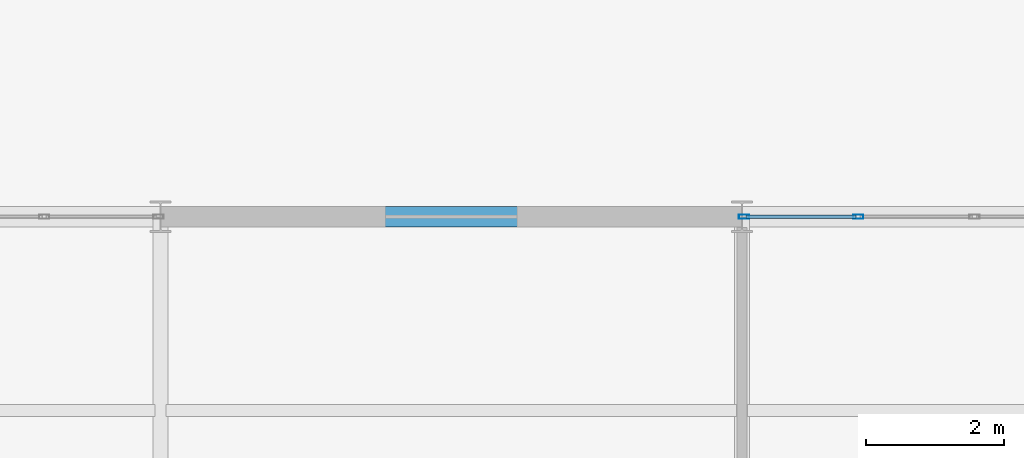
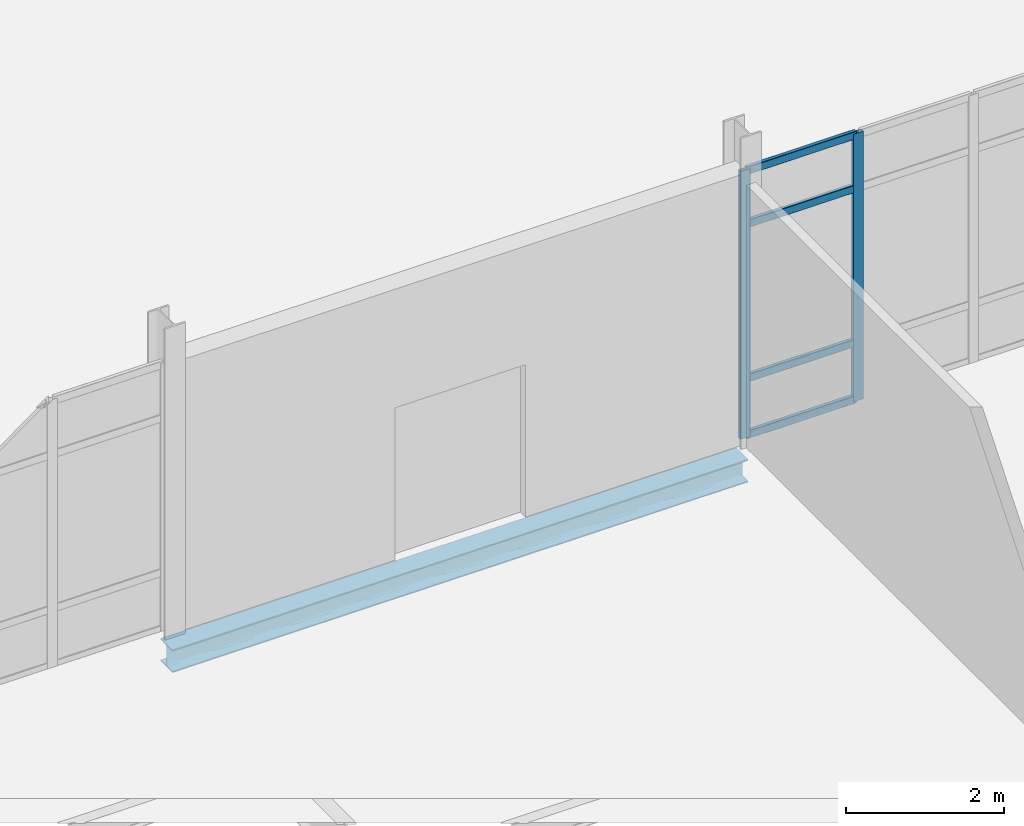
# One storey, part 60 of 145: 6 members, 1 beam, 1 element without a shape of its own.
"""IFC4 building model written with IfcOpenShell, lengths in metres."""

from ifc_helpers import new_model, si_unit, direction, frame, origin, origin_2d, place, context, subcontext, project, spatial, hollow_rectangle, i_section, extrude, material, layer, layer_set, material_profile, profile_set, type_object, element, aggregate, save


model = new_model("IFC4")

# Units and contexts
model_context = context("Model", 3, precision=1e-05, world=origin(), true_north=direction((0.0, 1.0)))
body_context = subcontext(model_context, "Body", "Model", "MODEL_VIEW")
ifc_project = project(units=[si_unit("LENGTHUNIT", "METRE"), si_unit("AREAUNIT", "SQUARE_METRE"), si_unit("VOLUMEUNIT", "CUBIC_METRE"), si_unit("PLANEANGLEUNIT", "RADIAN"), si_unit("MASSUNIT", "GRAM", prefix="KILO")], contexts=[model_context])

# Site, building, storey
site_placement = place(None, origin())
site = spatial("IfcSite", under=ifc_project, at=site_placement, CompositionType="ELEMENT")
building_placement = place(site_placement, origin())
building = spatial("IfcBuilding", under=site, at=building_placement, Name="Qalvenar Corner Mobility Hub", CompositionType="ELEMENT")
storey_placement = place(building_placement, origin())
storey = spatial("IfcBuildingStorey", under=building, at=storey_placement, Name="L00", CompositionType="ELEMENT", Elevation=0.0)

# Beam
ifc_material_1 = material(Name="Steel S355", Category="steel")
ifc_material_profile_1 = material_profile(ifc_material_1, i_section(OverallWidth=0.300048828125, OverallDepth=0.35009765625, WebThickness=0.010009765625, FlangeThickness=0.017578125, FilletRadius=0.027099609375, at=origin_2d()), Name="HEA360")
ifc_profile_set_1 = profile_set([ifc_material_profile_1], Name="Steel S355")
beam_type = type_object("IfcBeamType", Name="BM-SPN360", PredefinedType="SPANDREL", material=ifc_profile_set_1)
beam_placement = place(storey_placement, frame((117.60009765625, 50.39990234375, -0.425048828125), z_axis=(1.0, 0.0, 0.0), x_axis=(0.0, 1.0, 0.0)))
element("IfcBeam", 1, at=beam_placement, inside=storey, type_object=beam_type, Name="Primary Steel Girder GX-0291", PredefinedType="SPANDREL", context=body_context, shape_type="SweptSolid", body=[
    extrude(i_section(OverallWidth=0.300048828125, OverallDepth=0.35009765625, WebThickness=0.010009765625, FlangeThickness=0.017578125, FilletRadius=0.027099609375, at=origin_2d()), origin(), (0.0, 0.0, 1.0), 8.39990234375),
])

# Curtain wall, members
ifc_material_2 = material(Name="Anodised Aluminium and Low-E Glazing", Category="aluminium")
ifc_layer = layer(ifc_material_2, 0.14990234375)
ifc_layer_set = layer_set([ifc_layer], Name="Anodised Aluminium and Low-E Glazing")
curtain_wall_type = type_object("IfcCurtainWallType", Name="CW-WKS-84X44", PredefinedType="NOTDEFINED", material=ifc_layer_set)
curtain_wall_placement = place(storey_placement, origin())
curtain_wall = element("IfcCurtainWall", 2, at=curtain_wall_placement, inside=storey, type_object=curtain_wall_type, Name="Glazed Curtain Wall CW-V6-L00-N2", PredefinedType="NOTDEFINED")
ifc_material_3 = material(Name="Anodised Aluminium 6063-T6", Category="aluminium")
ifc_material_profile_2 = material_profile(ifc_material_3, hollow_rectangle(XDim=0.06005859375, YDim=0.14990234375, WallThickness=0.00390625, InnerFilletRadius=0.00390625, OuterFilletRadius=0.008056640625, at=origin_2d()), Name="RHS150x60x4")
ifc_profile_set_2 = profile_set([ifc_material_profile_2], Name="Anodised Aluminium 6063-T6")
member_type_1 = type_object("IfcMemberType", Name="CW-MUL150", PredefinedType="MULLION", material=ifc_profile_set_2)
member_1_placement = place(storey_placement, frame((127.679931640625, 50.39990234375, 0.0), z_axis=(0.0, 0.0, 1.0), x_axis=(0.0, -1.0, 0.0)))
member_1 = element("IfcMember", 3, at=member_1_placement, type_object=member_type_1, Name="CW-09 mullion 5", PredefinedType="MULLION", context=body_context, shape_type="SweptSolid", body=[
    extrude(hollow_rectangle(XDim=0.06005859375, YDim=0.14990234375, WallThickness=0.00390625, InnerFilletRadius=0.00390625, OuterFilletRadius=0.008056640625, at=origin_2d()), origin(), (0.0, 0.0, 1.0), 4.1298828125),
])
member_2_placement = place(storey_placement, frame((126.030029296875, 50.39990234375, 0.0), z_axis=(0.0, 0.0, 1.0), x_axis=(0.0, -1.0, 0.0)))
member_2 = element("IfcMember", 4, at=member_2_placement, type_object=member_type_1, Name="CW-09 mullion 6", PredefinedType="MULLION", context=body_context, shape_type="SweptSolid", body=[
    extrude(hollow_rectangle(XDim=0.06005859375, YDim=0.14990234375, WallThickness=0.00390625, InnerFilletRadius=0.00390625, OuterFilletRadius=0.008056640625, at=origin_2d()), origin(), (0.0, 0.0, 1.0), 4.1298828125),
])
ifc_material_profile_3 = material_profile(ifc_material_3, hollow_rectangle(XDim=0.054931640625, YDim=0.1201171875, WallThickness=0.00341796875, InnerFilletRadius=0.00341796875, OuterFilletRadius=0.007080078125, at=origin_2d()), Name="RHS120x55x3.5")
ifc_profile_set_3 = profile_set([ifc_material_profile_3], Name="Anodised Aluminium 6063-T6")
member_type_2 = type_object("IfcMemberType", Name="CW-TRN120", PredefinedType="USERDEFINED", material=ifc_profile_set_3)
member_3_placement = place(storey_placement, frame((127.64990234375, 50.39990234375, 0.027587890625), z_axis=(-1.0, 0.0, 0.0), x_axis=(0.0, -1.0, 0.0)))
member_3 = element("IfcMember", 5, at=member_3_placement, type_object=member_type_2, Name="CW-09 transom 5.1", ObjectType="TRANSOM", PredefinedType="USERDEFINED", context=body_context, shape_type="SweptSolid", body=[
    extrude(hollow_rectangle(XDim=0.054931640625, YDim=0.1201171875, WallThickness=0.00341796875, InnerFilletRadius=0.00341796875, OuterFilletRadius=0.007080078125, at=origin_2d()), origin(), (0.0, 0.0, 1.0), 1.58984375),
])
member_4_placement = place(storey_placement, frame((127.64990234375, 50.39990234375, 0.89990234375), z_axis=(-1.0, 0.0, 0.0), x_axis=(0.0, -1.0, 0.0)))
member_4 = element("IfcMember", 6, at=member_4_placement, type_object=member_type_2, Name="CW-09 transom 5.2", ObjectType="TRANSOM", PredefinedType="USERDEFINED", context=body_context, shape_type="SweptSolid", body=[
    extrude(hollow_rectangle(XDim=0.054931640625, YDim=0.1201171875, WallThickness=0.00341796875, InnerFilletRadius=0.00341796875, OuterFilletRadius=0.007080078125, at=origin_2d()), origin(), (0.0, 0.0, 1.0), 1.58984375),
])
member_5_placement = place(storey_placement, frame((127.64990234375, 50.39990234375, 3.280029296875), z_axis=(-1.0, 0.0, 0.0), x_axis=(0.0, -1.0, 0.0)))
member_5 = element("IfcMember", 7, at=member_5_placement, type_object=member_type_2, Name="CW-09 transom 5.3", ObjectType="TRANSOM", PredefinedType="USERDEFINED", context=body_context, shape_type="SweptSolid", body=[
    extrude(hollow_rectangle(XDim=0.054931640625, YDim=0.1201171875, WallThickness=0.00341796875, InnerFilletRadius=0.00341796875, OuterFilletRadius=0.007080078125, at=origin_2d()), origin(), (0.0, 0.0, 1.0), 1.58984375),
])
member_6_placement = place(storey_placement, frame((127.64990234375, 50.39990234375, 4.1025390625), z_axis=(-1.0, 0.0, 0.0), x_axis=(0.0, -1.0, 0.0)))
member_6 = element("IfcMember", 8, at=member_6_placement, type_object=member_type_2, Name="CW-09 transom 5.4", ObjectType="TRANSOM", PredefinedType="USERDEFINED", context=body_context, shape_type="SweptSolid", body=[
    extrude(hollow_rectangle(XDim=0.054931640625, YDim=0.1201171875, WallThickness=0.00341796875, InnerFilletRadius=0.00341796875, OuterFilletRadius=0.007080078125, at=origin_2d()), origin(), (0.0, 0.0, 1.0), 1.58984375),
])
aggregate(curtain_wall, [member_1, member_2, member_3, member_4, member_5, member_6])

save(model, "model.ifc")
